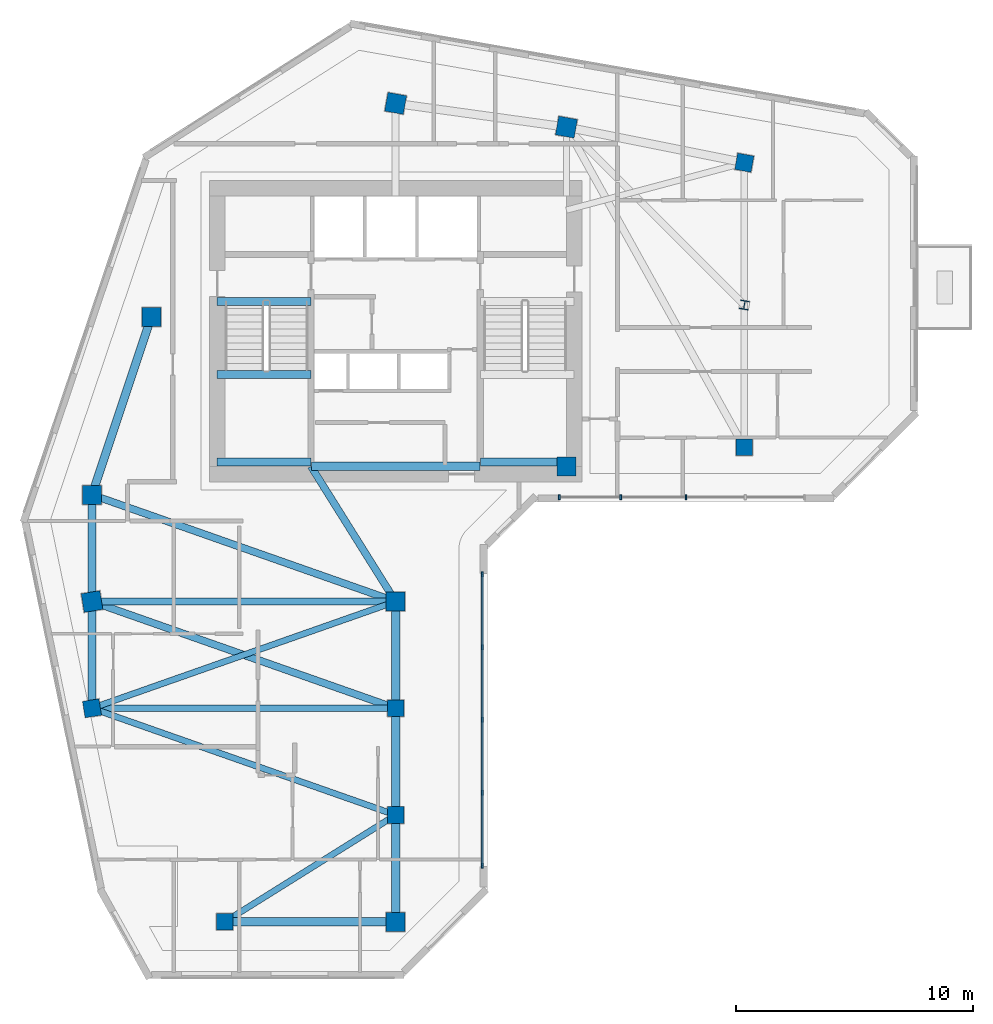
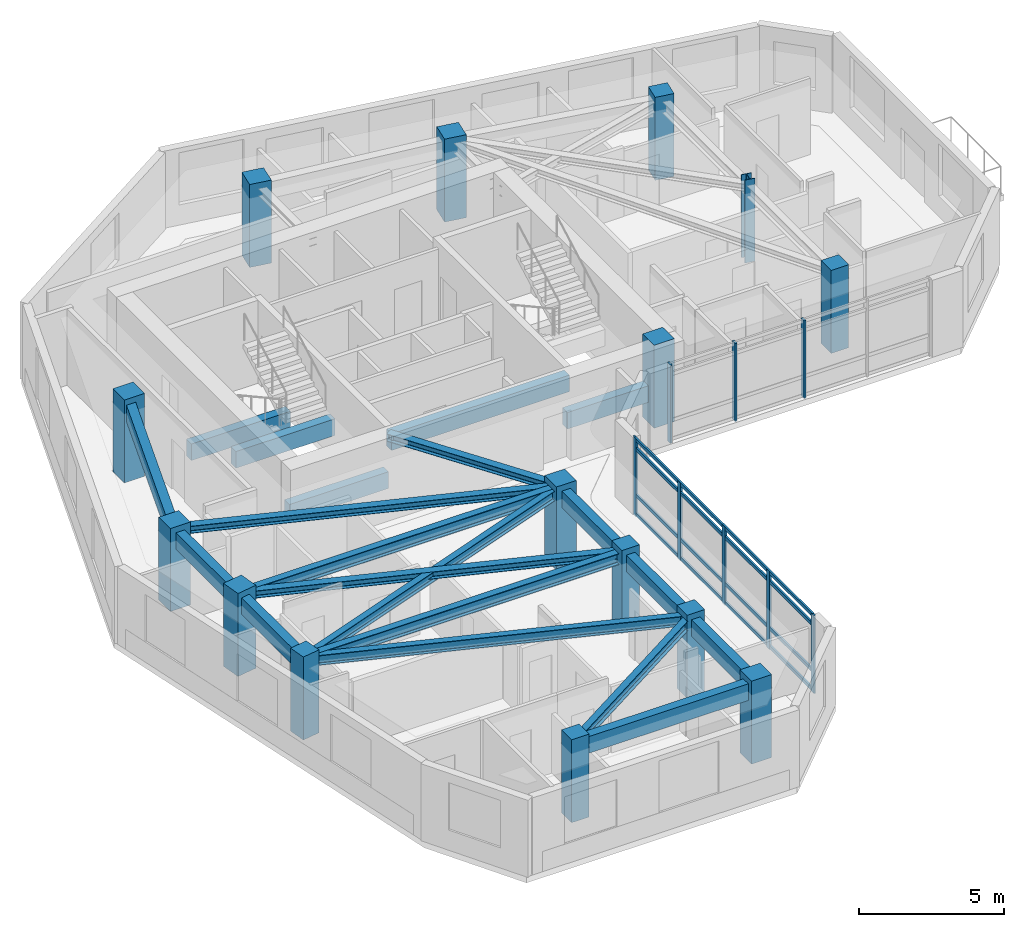
# One storey, part 1 of 10: 20 beams, 15 columns, 12 members, 2 elements without a shape of their own.
"""IFC4 building model written with IfcOpenShell, lengths in metres."""

import ifcopenshell
import ifcopenshell.guid

model = None  # the IFC model being written
_history = None  # IfcOwnerHistory: only IFC2X3 demands one
_inside = {}  # id of a spatial element -> (the spatial element, [elements in it])
_under = {}  # id of a project, library or spatial element -> (it, [spatial elements below it])
_declared = {}  # id of a project -> (the project, [libraries it declares])
_typed = {}  # id of a type object -> (the type object, [elements of that type])
_made_of = {}  # id of a material, layer set ... -> (it, [elements and type objects made of it])


def new_model(schema):
    """Start an empty IFC model of exactly this schema.

    Asked for "IFC4X3", IfcOpenShell would pick the latest addendum, in which some entities
    have other attributes; the version numbers below select the first issue.
    IFC2X3 requires an IfcOwnerHistory on every rooted entity: one is made here for all.
    """
    global model, _history
    if schema == "IFC4X3":
        model = ifcopenshell.file(schema_version=(4, 3, 0, 0))
    else:
        model = ifcopenshell.file(schema=schema)
    _inside.clear()
    _under.clear()
    _declared.clear()
    _typed.clear()
    _made_of.clear()
    _history = None
    if model.schema == "IFC2X3":
        org = make("IfcOrganization", Name="unknown")
        user = make(
            "IfcPersonAndOrganization",
            ThePerson=make("IfcPerson", FamilyName="unknown"),
            TheOrganization=org,
        )
        app = make(
            "IfcApplication",
            ApplicationDeveloper=org,
            Version="unknown",
            ApplicationFullName="unknown",
            ApplicationIdentifier="unknown",
        )
        _history = make(
            "IfcOwnerHistory",
            OwningUser=user,
            OwningApplication=app,
            ChangeAction="ADDED",
            CreationDate=0,
        )
    return model


def make(cls, **values):
    """One entity of the class cls with the attributes given. An attribute that is None is left unset."""
    return model.create_entity(
        cls, **{name: value for name, value in values.items() if value is not None}
    )


def rooted(cls, **values):
    """An entity with a GlobalId (a new one), such as an element, a storey or a relation."""
    return make(cls, GlobalId=ifcopenshell.guid.new(), OwnerHistory=_history, **values)


def si_unit(unit_type, name, prefix=None):
    """IfcSIUnit, for example si_unit("LENGTHUNIT", "METRE", prefix="MILLI")."""
    return make("IfcSIUnit", UnitType=unit_type, Prefix=prefix, Name=name)


def assignment(units):
    """IfcUnitAssignment: the units of a project."""
    return None if units is None else make("IfcUnitAssignment", Units=units)


def point(xyz):
    """IfcCartesianPoint."""
    return None if xyz is None else make("IfcCartesianPoint", Coordinates=xyz)


def direction(xyz):
    """IfcDirection."""
    return None if xyz is None else make("IfcDirection", DirectionRatios=xyz)


def frame(location, z_axis=None, x_axis=None):
    """IfcAxis2Placement3D, a coordinate frame: its origin and axes. An axis left out is left unset."""
    return make(
        "IfcAxis2Placement3D",
        Location=point(location),
        Axis=direction(z_axis),
        RefDirection=direction(x_axis),
    )


def frame_2d(location, x_axis=None):
    """IfcAxis2Placement2D, a coordinate frame in the plane: its origin and x axis."""
    return make(
        "IfcAxis2Placement2D", Location=point(location), RefDirection=direction(x_axis)
    )


def origin():
    """The frame at (0, 0, 0) with its axes left unset."""
    return frame((0.0, 0.0, 0.0))


def origin_2d():
    """The frame at (0, 0) in the plane with its x axis left unset."""
    return frame_2d((0.0, 0.0))


def place(relative_to, where):
    """IfcLocalPlacement: puts the frame where relative to a parent placement (None: the world)."""
    return make(
        "IfcLocalPlacement", PlacementRelTo=relative_to, RelativePlacement=where
    )


def context(
    kind, dimensions, precision=None, world=None, true_north=None, identifier=None
):
    """IfcGeometricRepresentationContext, for example the 3D "Model" context."""
    return make(
        "IfcGeometricRepresentationContext",
        ContextIdentifier=identifier,
        ContextType=kind,
        CoordinateSpaceDimension=dimensions,
        Precision=precision,
        WorldCoordinateSystem=world,
        TrueNorth=true_north,
    )


def subcontext(parent, identifier, kind, view, scale=None):
    """IfcGeometricRepresentationSubContext, for example "Body" below "Model"."""
    return make(
        "IfcGeometricRepresentationSubContext",
        ContextIdentifier=identifier,
        ContextType=kind,
        ParentContext=parent,
        TargetScale=scale,
        TargetView=view,
    )


def project(units=None, contexts=None):
    """IfcProject with its units and contexts."""
    return rooted(
        "IfcProject",
        Name="project",
        RepresentationContexts=contexts,
        UnitsInContext=assignment(units),
    )


def spatial(cls, under=None, at=None, **own):
    """A site, building, storey or space (cls), placed at a placement, below another one or the project."""
    s = rooted(cls, ObjectPlacement=at, **own)
    if under is not None:
        _under.setdefault(under.id(), (under, []))[1].append(s)
    return s


def profile(cls, at=None, kind="AREA", **sizes):
    """A parametric profile (cls). Its sizes go by their IFC names, for example OverallWidth=200.0."""
    return make(cls, ProfileType=kind, Position=at, **sizes)


def rectangle(**sizes):
    """IfcRectangleProfileDef."""
    return profile("IfcRectangleProfileDef", **sizes)


def i_section(**sizes):
    """IfcIShapeProfileDef."""
    return profile("IfcIShapeProfileDef", **sizes)


def extrude(swept, where, along, depth):
    """IfcExtrudedAreaSolid: the profile swept, set in the frame where, extruded along a direction by depth."""
    return make(
        "IfcExtrudedAreaSolid",
        SweptArea=swept,
        Position=where,
        ExtrudedDirection=direction(along),
        Depth=depth,
    )


def shape(context_of_items, identifier, shape_type, items):
    """IfcShapeRepresentation: the items that make up one representation, for example the "Body"."""
    return make(
        "IfcShapeRepresentation",
        ContextOfItems=context_of_items,
        RepresentationIdentifier=identifier,
        RepresentationType=shape_type,
        Items=items,
    )


def source(mapping_origin, context_of_items, identifier, shape_type, items):
    """IfcRepresentationMap: a shape defined once, which mapped items show again and again."""
    return make(
        "IfcRepresentationMap",
        MappingOrigin=mapping_origin,
        MappedRepresentation=shape(context_of_items, identifier, shape_type, items),
    )


def transform(
    local_origin,
    x_axis=None,
    y_axis=None,
    z_axis=None,
    scale=None,
    scale2=None,
    scale3=None,
    uniform=True,
):
    """IfcCartesianTransformationOperator3D, or its non-uniform kind. x_axis, y_axis, z_axis: its Axis1, 2, 3."""
    if uniform:
        return make(
            "IfcCartesianTransformationOperator3D",
            Axis1=direction(x_axis),
            Axis2=direction(y_axis),
            LocalOrigin=point(local_origin),
            Scale=scale,
            Axis3=direction(z_axis),
        )
    return make(
        "IfcCartesianTransformationOperator3DnonUniform",
        Axis1=direction(x_axis),
        Axis2=direction(y_axis),
        LocalOrigin=point(local_origin),
        Scale=scale,
        Axis3=direction(z_axis),
        Scale2=scale2,
        Scale3=scale3,
    )


def mapped(mapping_source, mapping_target):
    """IfcMappedItem: shows the shape of a source again, moved by a transform."""
    return make(
        "IfcMappedItem", MappingSource=mapping_source, MappingTarget=mapping_target
    )


def material(Name=None, Category=None):
    """IfcMaterial."""
    return make("IfcMaterial", Name=Name, Category=Category)


def material_profile(
    of_material, cross_section, Name=None, Category=None, Priority=None
):
    """IfcMaterialProfile: a cross section and its material."""
    return make(
        "IfcMaterialProfile",
        Name=Name,
        Material=of_material,
        Profile=cross_section,
        Priority=Priority,
        Category=Category,
    )


def profile_set(profiles, Name=None, composite=None):
    """IfcMaterialProfileSet."""
    return make(
        "IfcMaterialProfileSet",
        Name=Name,
        MaterialProfiles=profiles,
        CompositeProfile=composite,
    )


def made_of(thing, what):
    """Note that an element or type object is made of a material, layer set ...; save() writes the relation."""
    if what is not None:
        _made_of.setdefault(what.id(), (what, []))[1].append(thing)
    return thing


def type_object(cls, material=None, **own):
    """A type object (cls), such as IfcWallType, which elements share."""
    return made_of(rooted(cls, **own), material)


def element(
    cls,
    number,
    at=None,
    inside=None,
    cuts=None,
    type_object=None,
    material=None,
    context=None,
    identifier="Body",
    shape_type=None,
    held_by="IfcProductDefinitionShape",
    body=None,
    shapes=None,
    **own,
):
    """One element of the class cls, such as IfcWall. Its Tag is "e" and its number.

    at: its placement. inside: the storey or other place that contains it. cuts: it is an
    opening in that element (IfcRelVoidsElement). A single representation is given by context,
    identifier, shape_type and body (its items); several are given by shapes. held_by: the class
    of the entity that holds the representations. save() writes the other relations.
    """
    e = rooted(cls, Tag="e%d" % number, ObjectPlacement=at, **own)
    if body is not None:
        shapes = [shape(context, identifier, shape_type, body)]
    if shapes is not None:
        e.Representation = make(held_by, Representations=shapes)
    if inside is not None:
        _inside.setdefault(inside.id(), (inside, []))[1].append(e)
    if cuts is not None:
        rooted(
            "IfcRelVoidsElement", RelatingBuildingElement=cuts, RelatedOpeningElement=e
        )
    if type_object is not None:
        _typed.setdefault(type_object.id(), (type_object, []))[1].append(e)
    return made_of(e, material)


def aggregate(whole, parts):
    """IfcRelAggregates: a whole, such as a stair, and the parts it consists of."""
    return rooted("IfcRelAggregates", RelatingObject=whole, RelatedObjects=parts)


def save(model, path):
    """Write the relations noted so far, then the file.

    IfcRelAggregates (storeys below a building ...), IfcRelContainedInSpatialStructure (elements
    in a storey), IfcRelDefinesByType, IfcRelAssociatesMaterial and IfcRelDeclares: one each for
    every whole, place, type object, material and project.
    """
    for whole, parts in _under.values():
        aggregate(whole, parts)
    for where, things in _inside.values():
        rooted(
            "IfcRelContainedInSpatialStructure",
            RelatedElements=things,
            RelatingStructure=where,
        )
    for kind, things in _typed.values():
        rooted("IfcRelDefinesByType", RelatedObjects=things, RelatingType=kind)
    for what, things in _made_of.values():
        rooted("IfcRelAssociatesMaterial", RelatedObjects=things, RelatingMaterial=what)
    for by, libraries in _declared.values():
        rooted("IfcRelDeclares", RelatingContext=by, RelatedDefinitions=libraries)
    model.write(path)


model = new_model("IFC4")

# Units and contexts
model_context = context("Model", 3, precision=1e-05, world=origin(), true_north=direction((0.0, 1.0)))
body_context = subcontext(model_context, "Body", "Model", "MODEL_VIEW")
ifc_project = project(units=[si_unit("LENGTHUNIT", "METRE"), si_unit("AREAUNIT", "SQUARE_METRE"), si_unit("VOLUMEUNIT", "CUBIC_METRE"), si_unit("PLANEANGLEUNIT", "RADIAN"), si_unit("MASSUNIT", "GRAM", prefix="KILO")], contexts=[model_context])

# Site, building, storey
site_placement = place(None, origin())
site = spatial("IfcSite", under=ifc_project, at=site_placement, CompositionType="ELEMENT")
building_placement = place(site_placement, origin())
building = spatial("IfcBuilding", under=site, at=building_placement, Name="Calvemar Wedge Station Tower", CompositionType="ELEMENT")
storey_placement = place(building_placement, frame((0.0, 0.0, 221.89990234375)))
storey = spatial("IfcBuildingStorey", under=building, at=storey_placement, Name="L56", CompositionType="ELEMENT", Elevation=221.89990234375)

# Columns
ifc_material_1 = material(Name="Concrete C50", Category="concrete")
ifc_material_profile_1 = material_profile(ifc_material_1, rectangle(XDim=0.800048828125, YDim=0.800048828125, at=origin_2d()), Name="RC800x800")
ifc_profile_set_1 = profile_set([ifc_material_profile_1], Name="Concrete C50")
column_type_1 = type_object("IfcColumnType", Name="COL-C6-800", PredefinedType="COLUMN", material=ifc_profile_set_1)
shared_shape_1 = source(origin(), body_context, "Body", "SweptSolid", [
    extrude(rectangle(XDim=0.800048828125, YDim=0.800048828125, at=origin_2d()), origin(), (0.0, 0.0, 1.0), 3.5),
])
for number, where, z_axis, x_axis, name in (
    (1, (11.0, 33.0, 0.0), (0.0, 0.0, 1.0), (1.0, 0.0, 0.0), "Storey L56 Column T-NW1"),
    (2, (13.5, 40.5, 0.0), (0.0, 0.0, 1.0), (1.0, 0.0, 0.0), "Storey L56 Column T-NW2"),
    (3, (23.800048828125, 49.5, 0.0), (0.0, 0.0, 1.0), (0.984195607969, -0.17708474032, 0.0), "Storey L56 Column T-N1"),
    (4, (31.0, 48.5, 0.0), (0.0, 0.0, 1.0), (0.984195607969, -0.17708474032, 0.0), "Storey L56 Column T-N2"),
    (5, (31.0, 34.199951171875, 0.0), (0.0, 0.0, 1.0), (1.0, 0.0, 0.0), "Storey L56 Column T-NL1"),
    (6, (11.0, 28.5, 0.0), (0.0, 0.0, 1.0), (0.158158067254, -0.987413806751, 0.0), "Storey L56 Column T-SW1"),
    (7, (23.800048828125, 28.5, 0.0), (0.0, 0.0, 1.0), (1.0, 0.0, 0.0), "Storey L56 Column T-SE1"),
    (8, (23.800048828125, 15.0, 0.0), (0.0, 0.0, 1.0), (1.0, 0.0, 0.0), "Storey L56 Column T-SE4"),
):
    element("IfcColumn", number, at=place(storey_placement, frame(where, z_axis=z_axis, x_axis=x_axis)), inside=storey, type_object=column_type_1, Name=name, PredefinedType="COLUMN", context=body_context, shape_type="MappedRepresentation", body=[
        mapped(shared_shape_1, transform((0.0, 0.0, 0.0), scale=1.0)),
    ])
ifc_material_profile_2 = material_profile(ifc_material_1, rectangle(XDim=0.699951171875, YDim=0.699951171875, at=origin_2d()), Name="RC700x700")
ifc_profile_set_2 = profile_set([ifc_material_profile_2], Name="Concrete C50")
column_type_2 = type_object("IfcColumnType", Name="COL-C7-700", PredefinedType="COLUMN", material=ifc_profile_set_2)
shared_shape_2 = source(origin(), body_context, "Body", "SweptSolid", [
    extrude(rectangle(XDim=0.699951171875, YDim=0.699951171875, at=origin_2d()), origin(), (0.0, 0.0, 1.0), 3.5),
])
for number, where, z_axis, x_axis, name in (
    (9, (38.5, 47.0, 0.0), (0.0, 0.0, 1.0), (0.984195607969, -0.17708474032, 0.0), "Storey L56 Column T-NU3"),
    (10, (38.5, 35.0, 0.0), (0.0, 0.0, 1.0), (1.0, 0.0, 0.0), "Storey L56 Column T-NL2"),
    (11, (11.0, 24.0, 0.0), (0.0, 0.0, 1.0), (0.158158067254, -0.987413806751, 0.0), "Storey L56 Column T-SW2"),
    (12, (23.800048828125, 24.0, 0.0), (0.0, 0.0, 1.0), (1.0, 0.0, 0.0), "Storey L56 Column T-SE2"),
    (13, (23.800048828125, 19.5, 0.0), (0.0, 0.0, 1.0), (1.0, 0.0, 0.0), "Storey L56 Column T-SE3"),
    (14, (16.60009765625, 15.0, 0.0), (0.0, 0.0, 1.0), (1.0, 0.0, 0.0), "Storey L56 Column T-SM1"),
):
    element("IfcColumn", number, at=place(storey_placement, frame(where, z_axis=z_axis, x_axis=x_axis)), inside=storey, type_object=column_type_2, Name=name, PredefinedType="COLUMN", context=body_context, shape_type="MappedRepresentation", body=[
        mapped(shared_shape_2, transform((0.0, 0.0, 0.0), scale=1.0)),
    ])
ifc_material_2 = material(Name="Structural steel ASTM A572 Grade 50", Category="steel")
ifc_material_profile_3 = material_profile(ifc_material_2, i_section(OverallWidth=0.3740234375, OverallDepth=0.3720703125, WebThickness=0.016357421875, FlangeThickness=0.026123046875, FilletRadius=0.014892578125, at=origin_2d()), Name="W360x196")
ifc_profile_set_3 = profile_set([ifc_material_profile_3], Name="Structural steel ASTM A572 Grade 50")
column_type_3 = type_object("IfcColumnType", Name="COL-STL-W360", PredefinedType="COLUMN", material=ifc_profile_set_3)
shared_shape_3 = source(origin(), body_context, "Body", "SweptSolid", [
    extrude(i_section(OverallWidth=0.3740234375, OverallDepth=0.3720703125, WebThickness=0.016357421875, FlangeThickness=0.026123046875, FilletRadius=0.014892578125, at=origin_2d()), origin(), (0.0, 0.0, 1.0), 3.5),
])
column_placement = place(storey_placement, frame((38.5, 41.0, 0.0), z_axis=(0.0, 0.0, 1.0), x_axis=(0.984195607969, -0.17708474032, 0.0)))
element("IfcColumn", 15, at=column_placement, inside=storey, type_object=column_type_3, Name="Storey L56 Column T-NTIP-B", PredefinedType="COLUMN", context=body_context, shape_type="MappedRepresentation", body=[
    mapped(shared_shape_3, transform((0.0, 0.0, 0.0), scale=1.0)),
])

# Beams
ifc_material_3 = material(Name="Concrete C70", Category="concrete")
ifc_material_profile_4 = material_profile(ifc_material_3, rectangle(XDim=0.35009765625, YDim=0.699951171875, at=origin_2d()), Name="RC350x700")
ifc_profile_set_4 = profile_set([ifc_material_profile_4], Name="Concrete C70")
beam_type_1 = type_object("IfcBeamType", Name="BM-LN1-700", PredefinedType="LINTEL", material=ifc_profile_set_4)
shared_shape_4 = source(origin(), body_context, "Body", "SweptSolid", [
    extrude(rectangle(XDim=0.35009765625, YDim=0.699951171875, at=origin_2d()), origin(), (0.0, 0.0, 1.0), 7.10009765625),
])
beam_1_placement = place(storey_placement, frame((20.25, 34.199951171875, 2.900146484375), z_axis=(1.0, 0.0, 0.0), x_axis=(0.0, 1.0, 0.0)))
element("IfcBeam", 16, at=beam_1_placement, inside=storey, type_object=beam_type_1, Name="Storey L56 Core Coupling Lintel South", PredefinedType="LINTEL", context=body_context, shape_type="MappedRepresentation", body=[
    mapped(shared_shape_4, transform((0.0, 0.0, 0.0), scale=1.0)),
])
ifc_material_profile_5 = material_profile(ifc_material_2, i_section(OverallWidth=0.304931640625, OverallDepth=0.30810546875, WebThickness=0.010009765625, FlangeThickness=0.015380859375, FilletRadius=0.014892578125, at=origin_2d()), Name="W310x97")
ifc_profile_set_5 = profile_set([ifc_material_profile_5], Name="Structural steel ASTM A572 Grade 50")
beam_type_2 = type_object("IfcBeamType", Name="BM-J6-W310", PredefinedType="JOIST", material=ifc_profile_set_5)
shared_shape_5 = source(origin(), body_context, "Body", "SweptSolid", [
    extrude(i_section(OverallWidth=0.304931640625, OverallDepth=0.30810546875, WebThickness=0.010009765625, FlangeThickness=0.015380859375, FilletRadius=0.014892578125, at=origin_2d()), origin(), (0.0, 0.0, 1.0), 13.568115234375),
])
for number, where, z_axis, x_axis, name in (
    (17, (11.0, 33.0, 3.09619140625), (0.943398221169, -0.331662171939, 0.0), (0.331662171939, 0.943398221169, 0.0), "Storey L56 Floor Beam T-NW1-T-SE1"),
    (18, (11.0, 28.5, 3.09619140625), (0.943398221169, -0.331662171939, 0.0), (0.331662171939, 0.943398221169, 0.0), "Storey L56 Floor Beam T-SW1-T-SE2"),
):
    element("IfcBeam", number, at=place(storey_placement, frame(where, z_axis=z_axis, x_axis=x_axis)), inside=storey, type_object=beam_type_2, Name=name, PredefinedType="JOIST", context=body_context, shape_type="MappedRepresentation", body=[
        mapped(shared_shape_5, transform((0.0, 0.0, 0.0), scale=1.0)),
    ])
ifc_material_profile_6 = material_profile(ifc_material_2, i_section(OverallWidth=0.260986328125, OverallDepth=0.419921875, WebThickness=0.01171875, FlangeThickness=0.019287109375, FilletRadius=0.012939453125, at=origin_2d()), Name="W410x114")
ifc_profile_set_6 = profile_set([ifc_material_profile_6], Name="Structural steel ASTM A572 Grade 50")
beam_type_3 = type_object("IfcBeamType", Name="BM-J2-W410H", PredefinedType="JOIST", material=ifc_profile_set_6)
shared_shape_6 = source(origin(), body_context, "Body", "SweptSolid", [
    extrude(i_section(OverallWidth=0.260986328125, OverallDepth=0.419921875, WebThickness=0.01171875, FlangeThickness=0.019287109375, FilletRadius=0.012939453125, at=origin_2d()), origin(), (0.0, 0.0, 1.0), 13.568115234375),
])
for number, where, z_axis, x_axis, name in (
    (19, (23.800048828125, 28.5, 3.0400390625), (-0.943398221169, -0.331662171939, 0.0), (0.331662171939, -0.943398221169, 0.0), "Storey L56 Floor Beam T-SE1-T-SW2"),
    (20, (11.0, 24.0, 3.0400390625), (0.943398221169, -0.331662171939, 0.0), (0.331662171939, 0.943398221169, 0.0), "Storey L56 Floor Beam T-SW2-T-SE3"),
):
    element("IfcBeam", number, at=place(storey_placement, frame(where, z_axis=z_axis, x_axis=x_axis)), inside=storey, type_object=beam_type_3, Name=name, PredefinedType="JOIST", context=body_context, shape_type="MappedRepresentation", body=[
        mapped(shared_shape_6, transform((0.0, 0.0, 0.0), scale=1.0)),
    ])
shared_shape_7 = source(origin(), body_context, "Body", "SweptSolid", [
    extrude(i_section(OverallWidth=0.260986328125, OverallDepth=0.419921875, WebThickness=0.01171875, FlangeThickness=0.019287109375, FilletRadius=0.012939453125, at=origin_2d()), origin(), (0.0, 0.0, 1.0), 8.490478515625),
])
beam_2_placement = place(storey_placement, frame((23.800048828125, 19.5, 3.0400390625), z_axis=(-0.847996688584, -0.530001524668, 0.0), x_axis=(0.530001524668, -0.847996688584, 0.0)))
element("IfcBeam", 21, at=beam_2_placement, inside=storey, type_object=beam_type_3, Name="Storey L56 Floor Beam T-SE3-T-SM1", PredefinedType="JOIST", context=body_context, shape_type="MappedRepresentation", body=[
    mapped(shared_shape_7, transform((0.0, 0.0, 0.0), scale=1.0)),
])
shared_shape_8 = source(origin(), body_context, "Body", "SweptSolid", [
    extrude(i_section(OverallWidth=0.304931640625, OverallDepth=0.30810546875, WebThickness=0.010009765625, FlangeThickness=0.015380859375, FilletRadius=0.014892578125, at=origin_2d()), origin(), (0.0, 0.0, 1.0), 6.7255859375),
])
beam_3_placement = place(storey_placement, frame((20.22998046875, 34.199951171875, 3.09619140625), z_axis=(0.530811158438, -0.847490126242, 0.0), x_axis=(0.847490126242, 0.530811158438, 0.0)))
element("IfcBeam", 22, at=beam_3_placement, inside=storey, type_object=beam_type_2, Name="Storey L56 Core-to-Column Joist CJ-S2", PredefinedType="JOIST", context=body_context, shape_type="MappedRepresentation", body=[
    mapped(shared_shape_8, transform((0.0, 0.0, 0.0), scale=1.0)),
])
shared_shape_9 = source(origin(), body_context, "Body", "SweptSolid", [
    extrude(rectangle(XDim=0.35009765625, YDim=0.699951171875, at=origin_2d()), origin(), (0.0, 0.0, 1.0), 3.955078125),
])
for number, where, z_axis, x_axis, name in (
    (23, (16.27490234375, 41.14990234375, -0.349853515625), (1.0, 0.0, 0.0), (0.0, 1.0, 0.0), "Storey L56 Stair ST-C1 Landing Trimmer Beam"),
    (24, (16.27490234375, 34.3798828125, 1.2001953125), (1.0, 0.0, 0.0), (0.0, 1.0, 0.0), "Storey L56 Stair ST-C1 Half-Landing Beam 1A"),
    (25, (16.27490234375, 38.070068359375, 1.2001953125), (1.0, 0.0, 0.0), (0.0, 1.0, 0.0), "Storey L56 Stair ST-C1 Half-Landing Beam 1B"),
):
    element("IfcBeam", number, at=place(storey_placement, frame(where, z_axis=z_axis, x_axis=x_axis)), inside=storey, type_object=beam_type_1, Name=name, PredefinedType="LINTEL", context=body_context, shape_type="MappedRepresentation", body=[
        mapped(shared_shape_9, transform((0.0, 0.0, 0.0), scale=1.0)),
    ])
shared_shape_10 = source(origin(), body_context, "Body", "SweptSolid", [
    extrude(rectangle(XDim=0.35009765625, YDim=0.699951171875, at=origin_2d()), origin(), (0.0, 0.0, 1.0), 3.954833984375),
])
beam_4_placement = place(storey_placement, frame((27.3701171875, 34.3798828125, 1.2001953125), z_axis=(1.0, 0.0, 0.0), x_axis=(0.0, 1.0, 0.0)))
element("IfcBeam", 26, at=beam_4_placement, inside=storey, type_object=beam_type_1, Name="Storey L56 Stair ST-C2 Half-Landing Beam 1A", PredefinedType="LINTEL", context=body_context, shape_type="MappedRepresentation", body=[
    mapped(shared_shape_10, transform((0.0, 0.0, 0.0), scale=1.0)),
])
ifc_material_profile_7 = material_profile(ifc_material_1, rectangle(XDim=0.35009765625, YDim=0.699951171875, at=origin_2d()), Name="RC350x700")
ifc_profile_set_7 = profile_set([ifc_material_profile_7], Name="Concrete C50")
beam_type_4 = type_object("IfcBeamType", Name="BM-SP2-700", PredefinedType="SPANDREL", material=ifc_profile_set_7)
shared_shape_11 = source(origin(), body_context, "Body", "SweptSolid", [
    extrude(rectangle(XDim=0.35009765625, YDim=0.699951171875, at=origin_2d()), origin(), (0.0, 0.0, 1.0), 7.90576171875),
])
beam_5_placement = place(storey_placement, frame((11.0, 33.0, 2.900146484375), z_axis=(0.316227766017, 0.948683298051, 0.0), x_axis=(-0.948683298051, 0.316227766017, 0.0)))
element("IfcBeam", 27, at=beam_5_placement, inside=storey, type_object=beam_type_4, Name="Storey L56 Spandrel T-NW1-T-NW2", PredefinedType="SPANDREL", context=body_context, shape_type="MappedRepresentation", body=[
    mapped(shared_shape_11, transform((0.0, 0.0, 0.0), scale=1.0)),
])
shared_shape_12 = source(origin(), body_context, "Body", "SweptSolid", [
    extrude(rectangle(XDim=0.35009765625, YDim=0.699951171875, at=origin_2d()), origin(), (0.0, 0.0, 1.0), 4.5),
])
for number, where, z_axis, x_axis, name in (
    (28, (11.0, 33.0, 2.900146484375), (0.0, -1.0, 0.0), (1.0, 0.0, 0.0), "Storey L56 Spandrel T-NW1-T-SW1"),
    (29, (11.0, 28.5, 2.900146484375), (0.0, -1.0, 0.0), (1.0, 0.0, 0.0), "Storey L56 Spandrel T-SW1-T-SW2"),
    (30, (23.800048828125, 28.5, 2.900146484375), (0.0, -1.0, 0.0), (1.0, 0.0, 0.0), "Storey L56 Spandrel T-SE1-T-SE2"),
    (31, (23.800048828125, 24.0, 2.900146484375), (0.0, -1.0, 0.0), (1.0, 0.0, 0.0), "Storey L56 Spandrel T-SE2-T-SE3"),
    (32, (23.800048828125, 19.5, 2.900146484375), (0.0, -1.0, 0.0), (1.0, 0.0, 0.0), "Storey L56 Spandrel T-SE3-T-SE4"),
):
    element("IfcBeam", number, at=place(storey_placement, frame(where, z_axis=z_axis, x_axis=x_axis)), inside=storey, type_object=beam_type_4, Name=name, PredefinedType="SPANDREL", context=body_context, shape_type="MappedRepresentation", body=[
        mapped(shared_shape_12, transform((0.0, 0.0, 0.0), scale=1.0)),
    ])
shared_shape_13 = source(origin(), body_context, "Body", "SweptSolid", [
    extrude(rectangle(XDim=0.35009765625, YDim=0.699951171875, at=origin_2d()), origin(), (0.0, 0.0, 1.0), 7.199951171875),
])
beam_6_placement = place(storey_placement, frame((16.60009765625, 15.0, 2.900146484375), z_axis=(1.0, 0.0, 0.0), x_axis=(0.0, 1.0, 0.0)))
element("IfcBeam", 33, at=beam_6_placement, inside=storey, type_object=beam_type_4, Name="Storey L56 Spandrel T-SM1-T-SE4", PredefinedType="SPANDREL", context=body_context, shape_type="MappedRepresentation", body=[
    mapped(shared_shape_13, transform((0.0, 0.0, 0.0), scale=1.0)),
])
ifc_material_profile_8 = material_profile(ifc_material_2, i_section(OverallWidth=0.283935546875, OverallDepth=0.47607421875, WebThickness=0.014892578125, FlangeThickness=0.02392578125, FilletRadius=0.014892578125, at=origin_2d()), Name="W460x158")
ifc_profile_set_8 = profile_set([ifc_material_profile_8], Name="Structural steel ASTM A572 Grade 50")
beam_type_5 = type_object("IfcBeamType", Name="BM-SB5-W460H", PredefinedType="BEAM", material=ifc_profile_set_8)
shared_shape_14 = source(origin(), body_context, "Body", "SweptSolid", [
    extrude(i_section(OverallWidth=0.283935546875, OverallDepth=0.47607421875, WebThickness=0.014892578125, FlangeThickness=0.02392578125, FilletRadius=0.014892578125, at=origin_2d()), origin(), (0.0, 0.0, 1.0), 12.800048828125),
])
for number, where, z_axis, x_axis, name in (
    (34, (11.0, 28.5, 3.01220703125), (1.0, 0.0, 0.0), (0.0, 1.0, 0.0), "Storey L56 Floor Beam T-SW1-T-SE1"),
    (35, (11.0, 24.0, 3.01220703125), (1.0, 0.0, 0.0), (0.0, 1.0, 0.0), "Storey L56 Floor Beam T-SW2-T-SE2"),
):
    element("IfcBeam", number, at=place(storey_placement, frame(where, z_axis=z_axis, x_axis=x_axis)), inside=storey, type_object=beam_type_5, Name=name, PredefinedType="BEAM", context=body_context, shape_type="MappedRepresentation", body=[
        mapped(shared_shape_14, transform((0.0, 0.0, 0.0), scale=1.0)),
    ])

# Curtain wall, members
ifc_material_4 = material(Name="Anodised aluminium 6063-T6", Category="aluminium")
curtain_wall_type = type_object("IfcCurtainWallType", Name="CW3", PredefinedType="NOTDEFINED", material=ifc_material_4)
curtain_wall_1_placement = place(storey_placement, origin())
curtain_wall_1 = element("IfcCurtainWall", 36, at=curtain_wall_1_placement, inside=storey, type_object=curtain_wall_type, Name="Storey L56 CW3 Recessed Unitised Curtain Wall 4", PredefinedType="NOTDEFINED")
ifc_material_profile_9 = material_profile(ifc_material_4, rectangle(XDim=0.074951171875, YDim=0.2099609375, at=origin_2d()), Name="AL-MUL-75x210")
ifc_profile_set_9 = profile_set([ifc_material_profile_9], Name="Anodised aluminium 6063-T6")
member_type_1 = type_object("IfcMemberType", Name="CW3-MUL", PredefinedType="MULLION", material=ifc_profile_set_9)
shared_shape_15 = source(origin(), body_context, "Body", "SweptSolid", [
    extrude(rectangle(XDim=0.074951171875, YDim=0.2099609375, at=origin_2d()), origin(), (0.0, 0.0, 1.0), 3.2998046875),
])
member_1_placement = place(storey_placement, frame((27.4541015625, 17.362060546875, -0.0498046875), z_axis=(0.0, 0.0, 1.0), x_axis=(1.0, 0.0, 0.0)))
member_1 = element("IfcMember", 37, at=member_1_placement, type_object=member_type_1, Name="CW3 mullion 1", PredefinedType="MULLION", context=body_context, shape_type="MappedRepresentation", body=[
    mapped(shared_shape_15, transform((0.0, 0.0, 0.0), scale=1.0)),
])
member_2_placement = place(storey_placement, frame((27.4541015625, 20.43505859375, -0.0498046875), z_axis=(0.0, 0.0, 1.0), x_axis=(1.0, 0.0, 0.0)))
member_2 = element("IfcMember", 38, at=member_2_placement, type_object=member_type_1, Name="CW3 mullion 2", PredefinedType="MULLION", context=body_context, shape_type="MappedRepresentation", body=[
    mapped(shared_shape_15, transform((0.0, 0.0, 0.0), scale=1.0)),
])
member_3_placement = place(storey_placement, frame((27.4541015625, 23.508056640625, -0.0498046875), z_axis=(0.0, 0.0, 1.0), x_axis=(1.0, 0.0, 0.0)))
member_3 = element("IfcMember", 39, at=member_3_placement, type_object=member_type_1, Name="CW3 mullion 3", PredefinedType="MULLION", context=body_context, shape_type="MappedRepresentation", body=[
    mapped(shared_shape_15, transform((0.0, 0.0, 0.0), scale=1.0)),
])
member_4_placement = place(storey_placement, frame((27.4541015625, 26.5810546875, -0.0498046875), z_axis=(0.0, 0.0, 1.0), x_axis=(1.0, 0.0, 0.0)))
member_4 = element("IfcMember", 40, at=member_4_placement, type_object=member_type_1, Name="CW3 mullion 4", PredefinedType="MULLION", context=body_context, shape_type="MappedRepresentation", body=[
    mapped(shared_shape_15, transform((0.0, 0.0, 0.0), scale=1.0)),
])
member_5_placement = place(storey_placement, frame((27.4541015625, 29.654052734375, -0.0498046875), z_axis=(0.0, 0.0, 1.0), x_axis=(1.0, 0.0, 0.0)))
member_5 = element("IfcMember", 41, at=member_5_placement, type_object=member_type_1, Name="CW3 mullion 5", PredefinedType="MULLION", context=body_context, shape_type="MappedRepresentation", body=[
    mapped(shared_shape_15, transform((0.0, 0.0, 0.0), scale=1.0)),
])

curtain_wall_2_placement = place(storey_placement, origin())
curtain_wall_2 = element("IfcCurtainWall", 42, at=curtain_wall_2_placement, inside=storey, type_object=curtain_wall_type, Name="Storey L56 CW3 Recessed Unitised Curtain Wall 6", PredefinedType="NOTDEFINED")
member_6_placement = place(storey_placement, frame((30.701904296875, 32.902099609375, -0.0498046875), z_axis=(0.0, 0.0, 1.0), x_axis=(1.0, 0.0, 0.0)))
member_6 = element("IfcMember", 43, at=member_6_placement, type_object=member_type_1, Name="CW3 mullion 1", PredefinedType="MULLION", context=body_context, shape_type="MappedRepresentation", body=[
    mapped(shared_shape_15, transform((0.0, 0.0, 0.0), scale=1.0)),
])
member_7_placement = place(storey_placement, frame((33.2900390625, 32.902099609375, -0.0498046875), z_axis=(0.0, 0.0, 1.0), x_axis=(1.0, 0.0, 0.0)))
member_7 = element("IfcMember", 44, at=member_7_placement, type_object=member_type_1, Name="CW3 mullion 2", PredefinedType="MULLION", context=body_context, shape_type="MappedRepresentation", body=[
    mapped(shared_shape_15, transform((0.0, 0.0, 0.0), scale=1.0)),
])
member_8_placement = place(storey_placement, frame((36.0400390625, 32.902099609375, -0.0498046875), z_axis=(0.0, 0.0, 1.0), x_axis=(1.0, 0.0, 0.0)))
member_8 = element("IfcMember", 45, at=member_8_placement, type_object=member_type_1, Name="CW3 mullion 3", PredefinedType="MULLION", context=body_context, shape_type="MappedRepresentation", body=[
    mapped(shared_shape_15, transform((0.0, 0.0, 0.0), scale=1.0)),
])
aggregate(curtain_wall_2, [member_6, member_7, member_8])

# Member
ifc_material_profile_10 = material_profile(ifc_material_4, rectangle(XDim=0.074951171875, YDim=0.14501953125, at=origin_2d()), Name="AL-TRN-75x145")
ifc_profile_set_10 = profile_set([ifc_material_profile_10], Name="Anodised aluminium 6063-T6")
member_type_2 = type_object("IfcMemberType", Name="CW3-TRN", PredefinedType="USERDEFINED", material=ifc_profile_set_10)
shared_shape_16 = source(origin(), body_context, "Body", "SweptSolid", [
    extrude(rectangle(XDim=0.074951171875, YDim=0.14501953125, at=origin_2d()), origin(), (0.0, 0.0, 1.0), 12.2919921875),
])
member_9_placement = place(storey_placement, frame((27.4541015625, 17.362060546875, 0.06005859375), z_axis=(0.0, 1.0, 0.0), x_axis=(-1.0, 0.0, 0.0)))
member_9 = element("IfcMember", 46, at=member_9_placement, type_object=member_type_2, Name="CW3 transom 1", ObjectType="TRANSOM", PredefinedType="USERDEFINED", context=body_context, shape_type="MappedRepresentation", body=[
    mapped(shared_shape_16, transform((0.0, 0.0, 0.0), scale=1.0)),
])

member_10_placement = place(storey_placement, frame((27.4541015625, 17.362060546875, 0.85009765625), z_axis=(0.0, 1.0, 0.0), x_axis=(-1.0, 0.0, 0.0)))
member_10 = element("IfcMember", 47, at=member_10_placement, type_object=member_type_2, Name="CW3 transom 2", ObjectType="TRANSOM", PredefinedType="USERDEFINED", context=body_context, shape_type="MappedRepresentation", body=[
    mapped(shared_shape_16, transform((0.0, 0.0, 0.0), scale=1.0)),
])

member_11_placement = place(storey_placement, frame((27.4541015625, 17.362060546875, 2.800048828125), z_axis=(0.0, 1.0, 0.0), x_axis=(-1.0, 0.0, 0.0)))
member_11 = element("IfcMember", 48, at=member_11_placement, type_object=member_type_2, Name="CW3 transom 3", ObjectType="TRANSOM", PredefinedType="USERDEFINED", context=body_context, shape_type="MappedRepresentation", body=[
    mapped(shared_shape_16, transform((0.0, 0.0, 0.0), scale=1.0)),
])

member_12_placement = place(storey_placement, frame((27.4541015625, 17.362060546875, 3.190185546875), z_axis=(0.0, 1.0, 0.0), x_axis=(-1.0, 0.0, 0.0)))
member_12 = element("IfcMember", 49, at=member_12_placement, type_object=member_type_2, Name="CW3 transom 4", ObjectType="TRANSOM", PredefinedType="USERDEFINED", context=body_context, shape_type="MappedRepresentation", body=[
    mapped(shared_shape_16, transform((0.0, 0.0, 0.0), scale=1.0)),
])

aggregate(curtain_wall_1, [member_1, member_2, member_3, member_4, member_5, member_9, member_10, member_11, member_12])

save(model, "model.ifc")
